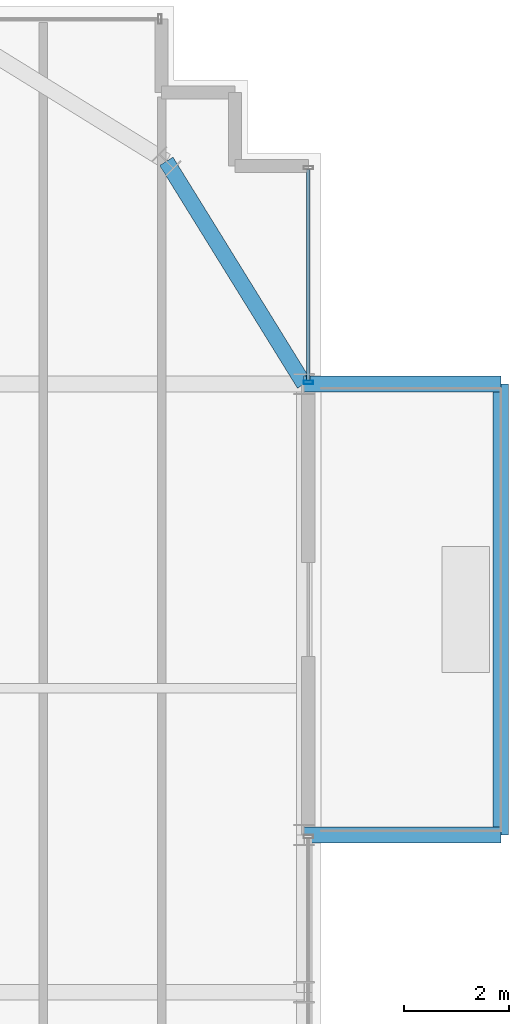
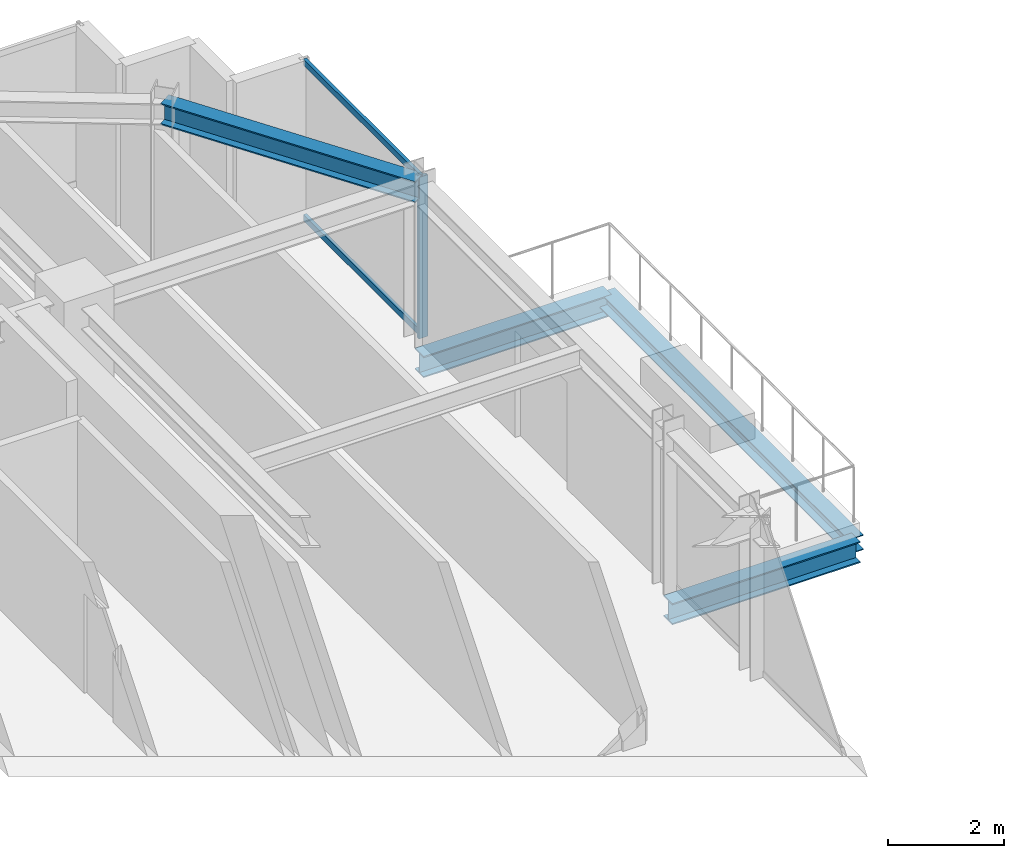
# One storey, part 25 of 34: 4 beams, 3 members, 1 element without a shape of its own.
"""IFC4 building model written with IfcOpenShell, lengths in metres."""

import ifcopenshell
import ifcopenshell.guid

model = None  # the IFC model being written
_history = None  # IfcOwnerHistory: only IFC2X3 demands one
_inside = {}  # id of a spatial element -> (the spatial element, [elements in it])
_under = {}  # id of a project, library or spatial element -> (it, [spatial elements below it])
_declared = {}  # id of a project -> (the project, [libraries it declares])
_typed = {}  # id of a type object -> (the type object, [elements of that type])
_made_of = {}  # id of a material, layer set ... -> (it, [elements and type objects made of it])


def new_model(schema):
    """Start an empty IFC model of exactly this schema.

    Asked for "IFC4X3", IfcOpenShell would pick the latest addendum, in which some entities
    have other attributes; the version numbers below select the first issue.
    IFC2X3 requires an IfcOwnerHistory on every rooted entity: one is made here for all.
    """
    global model, _history
    if schema == "IFC4X3":
        model = ifcopenshell.file(schema_version=(4, 3, 0, 0))
    else:
        model = ifcopenshell.file(schema=schema)
    _inside.clear()
    _under.clear()
    _declared.clear()
    _typed.clear()
    _made_of.clear()
    _history = None
    if model.schema == "IFC2X3":
        org = make("IfcOrganization", Name="unknown")
        user = make(
            "IfcPersonAndOrganization",
            ThePerson=make("IfcPerson", FamilyName="unknown"),
            TheOrganization=org,
        )
        app = make(
            "IfcApplication",
            ApplicationDeveloper=org,
            Version="unknown",
            ApplicationFullName="unknown",
            ApplicationIdentifier="unknown",
        )
        _history = make(
            "IfcOwnerHistory",
            OwningUser=user,
            OwningApplication=app,
            ChangeAction="ADDED",
            CreationDate=0,
        )
    return model


def make(cls, **values):
    """One entity of the class cls with the attributes given. An attribute that is None is left unset."""
    return model.create_entity(
        cls, **{name: value for name, value in values.items() if value is not None}
    )


def rooted(cls, **values):
    """An entity with a GlobalId (a new one), such as an element, a storey or a relation."""
    return make(cls, GlobalId=ifcopenshell.guid.new(), OwnerHistory=_history, **values)


def si_unit(unit_type, name, prefix=None):
    """IfcSIUnit, for example si_unit("LENGTHUNIT", "METRE", prefix="MILLI")."""
    return make("IfcSIUnit", UnitType=unit_type, Prefix=prefix, Name=name)


def assignment(units):
    """IfcUnitAssignment: the units of a project."""
    return None if units is None else make("IfcUnitAssignment", Units=units)


def point(xyz):
    """IfcCartesianPoint."""
    return None if xyz is None else make("IfcCartesianPoint", Coordinates=xyz)


def direction(xyz):
    """IfcDirection."""
    return None if xyz is None else make("IfcDirection", DirectionRatios=xyz)


def frame(location, z_axis=None, x_axis=None):
    """IfcAxis2Placement3D, a coordinate frame: its origin and axes. An axis left out is left unset."""
    return make(
        "IfcAxis2Placement3D",
        Location=point(location),
        Axis=direction(z_axis),
        RefDirection=direction(x_axis),
    )


def frame_2d(location, x_axis=None):
    """IfcAxis2Placement2D, a coordinate frame in the plane: its origin and x axis."""
    return make(
        "IfcAxis2Placement2D", Location=point(location), RefDirection=direction(x_axis)
    )


def origin():
    """The frame at (0, 0, 0) with its axes left unset."""
    return frame((0.0, 0.0, 0.0))


def origin_2d():
    """The frame at (0, 0) in the plane with its x axis left unset."""
    return frame_2d((0.0, 0.0))


def place(relative_to, where):
    """IfcLocalPlacement: puts the frame where relative to a parent placement (None: the world)."""
    return make(
        "IfcLocalPlacement", PlacementRelTo=relative_to, RelativePlacement=where
    )


def context(
    kind, dimensions, precision=None, world=None, true_north=None, identifier=None
):
    """IfcGeometricRepresentationContext, for example the 3D "Model" context."""
    return make(
        "IfcGeometricRepresentationContext",
        ContextIdentifier=identifier,
        ContextType=kind,
        CoordinateSpaceDimension=dimensions,
        Precision=precision,
        WorldCoordinateSystem=world,
        TrueNorth=true_north,
    )


def subcontext(parent, identifier, kind, view, scale=None):
    """IfcGeometricRepresentationSubContext, for example "Body" below "Model"."""
    return make(
        "IfcGeometricRepresentationSubContext",
        ContextIdentifier=identifier,
        ContextType=kind,
        ParentContext=parent,
        TargetScale=scale,
        TargetView=view,
    )


def project(units=None, contexts=None):
    """IfcProject with its units and contexts."""
    return rooted(
        "IfcProject",
        Name="project",
        RepresentationContexts=contexts,
        UnitsInContext=assignment(units),
    )


def spatial(cls, under=None, at=None, **own):
    """A site, building, storey or space (cls), placed at a placement, below another one or the project."""
    s = rooted(cls, ObjectPlacement=at, **own)
    if under is not None:
        _under.setdefault(under.id(), (under, []))[1].append(s)
    return s


def profile(cls, at=None, kind="AREA", **sizes):
    """A parametric profile (cls). Its sizes go by their IFC names, for example OverallWidth=200.0."""
    return make(cls, ProfileType=kind, Position=at, **sizes)


def hollow_rectangle(**sizes):
    """IfcRectangleHollowProfileDef."""
    return profile("IfcRectangleHollowProfileDef", **sizes)


def i_section(**sizes):
    """IfcIShapeProfileDef."""
    return profile("IfcIShapeProfileDef", **sizes)


def extrude(swept, where, along, depth):
    """IfcExtrudedAreaSolid: the profile swept, set in the frame where, extruded along a direction by depth."""
    return make(
        "IfcExtrudedAreaSolid",
        SweptArea=swept,
        Position=where,
        ExtrudedDirection=direction(along),
        Depth=depth,
    )


def shape(context_of_items, identifier, shape_type, items):
    """IfcShapeRepresentation: the items that make up one representation, for example the "Body"."""
    return make(
        "IfcShapeRepresentation",
        ContextOfItems=context_of_items,
        RepresentationIdentifier=identifier,
        RepresentationType=shape_type,
        Items=items,
    )


def source(mapping_origin, context_of_items, identifier, shape_type, items):
    """IfcRepresentationMap: a shape defined once, which mapped items show again and again."""
    return make(
        "IfcRepresentationMap",
        MappingOrigin=mapping_origin,
        MappedRepresentation=shape(context_of_items, identifier, shape_type, items),
    )


def transform(
    local_origin,
    x_axis=None,
    y_axis=None,
    z_axis=None,
    scale=None,
    scale2=None,
    scale3=None,
    uniform=True,
):
    """IfcCartesianTransformationOperator3D, or its non-uniform kind. x_axis, y_axis, z_axis: its Axis1, 2, 3."""
    if uniform:
        return make(
            "IfcCartesianTransformationOperator3D",
            Axis1=direction(x_axis),
            Axis2=direction(y_axis),
            LocalOrigin=point(local_origin),
            Scale=scale,
            Axis3=direction(z_axis),
        )
    return make(
        "IfcCartesianTransformationOperator3DnonUniform",
        Axis1=direction(x_axis),
        Axis2=direction(y_axis),
        LocalOrigin=point(local_origin),
        Scale=scale,
        Axis3=direction(z_axis),
        Scale2=scale2,
        Scale3=scale3,
    )


def mapped(mapping_source, mapping_target):
    """IfcMappedItem: shows the shape of a source again, moved by a transform."""
    return make(
        "IfcMappedItem", MappingSource=mapping_source, MappingTarget=mapping_target
    )


def material(Name=None, Category=None):
    """IfcMaterial."""
    return make("IfcMaterial", Name=Name, Category=Category)


def material_profile(
    of_material, cross_section, Name=None, Category=None, Priority=None
):
    """IfcMaterialProfile: a cross section and its material."""
    return make(
        "IfcMaterialProfile",
        Name=Name,
        Material=of_material,
        Profile=cross_section,
        Priority=Priority,
        Category=Category,
    )


def profile_set(profiles, Name=None, composite=None):
    """IfcMaterialProfileSet."""
    return make(
        "IfcMaterialProfileSet",
        Name=Name,
        MaterialProfiles=profiles,
        CompositeProfile=composite,
    )


def made_of(thing, what):
    """Note that an element or type object is made of a material, layer set ...; save() writes the relation."""
    if what is not None:
        _made_of.setdefault(what.id(), (what, []))[1].append(thing)
    return thing


def type_object(cls, material=None, **own):
    """A type object (cls), such as IfcWallType, which elements share."""
    return made_of(rooted(cls, **own), material)


def element(
    cls,
    number,
    at=None,
    inside=None,
    cuts=None,
    type_object=None,
    material=None,
    context=None,
    identifier="Body",
    shape_type=None,
    held_by="IfcProductDefinitionShape",
    body=None,
    shapes=None,
    **own,
):
    """One element of the class cls, such as IfcWall. Its Tag is "e" and its number.

    at: its placement. inside: the storey or other place that contains it. cuts: it is an
    opening in that element (IfcRelVoidsElement). A single representation is given by context,
    identifier, shape_type and body (its items); several are given by shapes. held_by: the class
    of the entity that holds the representations. save() writes the other relations.
    """
    e = rooted(cls, Tag="e%d" % number, ObjectPlacement=at, **own)
    if body is not None:
        shapes = [shape(context, identifier, shape_type, body)]
    if shapes is not None:
        e.Representation = make(held_by, Representations=shapes)
    if inside is not None:
        _inside.setdefault(inside.id(), (inside, []))[1].append(e)
    if cuts is not None:
        rooted(
            "IfcRelVoidsElement", RelatingBuildingElement=cuts, RelatedOpeningElement=e
        )
    if type_object is not None:
        _typed.setdefault(type_object.id(), (type_object, []))[1].append(e)
    return made_of(e, material)


def aggregate(whole, parts):
    """IfcRelAggregates: a whole, such as a stair, and the parts it consists of."""
    return rooted("IfcRelAggregates", RelatingObject=whole, RelatedObjects=parts)


def save(model, path):
    """Write the relations noted so far, then the file.

    IfcRelAggregates (storeys below a building ...), IfcRelContainedInSpatialStructure (elements
    in a storey), IfcRelDefinesByType, IfcRelAssociatesMaterial and IfcRelDeclares: one each for
    every whole, place, type object, material and project.
    """
    for whole, parts in _under.values():
        aggregate(whole, parts)
    for where, things in _inside.values():
        rooted(
            "IfcRelContainedInSpatialStructure",
            RelatedElements=things,
            RelatingStructure=where,
        )
    for kind, things in _typed.values():
        rooted("IfcRelDefinesByType", RelatedObjects=things, RelatingType=kind)
    for what, things in _made_of.values():
        rooted("IfcRelAssociatesMaterial", RelatedObjects=things, RelatingMaterial=what)
    for by, libraries in _declared.values():
        rooted("IfcRelDeclares", RelatingContext=by, RelatedDefinitions=libraries)
    model.write(path)


model = new_model("IFC4")

# Units and contexts
model_context = context("Model", 3, precision=1e-05, world=origin(), true_north=direction((0.0, 1.0)))
body_context = subcontext(model_context, "Body", "Model", "MODEL_VIEW")
ifc_project = project(units=[si_unit("LENGTHUNIT", "METRE"), si_unit("AREAUNIT", "SQUARE_METRE"), si_unit("VOLUMEUNIT", "CUBIC_METRE"), si_unit("PLANEANGLEUNIT", "RADIAN"), si_unit("MASSUNIT", "GRAM", prefix="KILO")], contexts=[model_context])

# Site, building, storey
site_placement = place(None, origin())
site = spatial("IfcSite", under=ifc_project, at=site_placement, CompositionType="ELEMENT")
building_placement = place(site_placement, origin())
building = spatial("IfcBuilding", under=site, at=building_placement, Name="Nahalor Promenade Grand Hotel", CompositionType="ELEMENT")
storey_placement = place(building_placement, frame((0.0, 0.0, 238.199951171875)))
storey = spatial("IfcBuildingStorey", under=building, at=storey_placement, Name="L61", CompositionType="ELEMENT", Elevation=238.199951171875)

# Beams
ifc_material_1 = material(Name="Steel S355JR", Category="steel")
ifc_material_profile_1 = material_profile(ifc_material_1, i_section(OverallWidth=0.3, OverallDepth=0.32, WebThickness=0.0115, FlangeThickness=0.0205, at=origin_2d()), Name="HEB 320")
ifc_profile_set_1 = profile_set([ifc_material_profile_1], Name="Steel S355JR")
beam_type_1 = type_object("IfcBeamType", Name="Beam-BalcEdge-HEB320", PredefinedType="SPANDREL", material=ifc_profile_set_1)
shared_shape_1 = source(origin(), body_context, "Body", "SweptSolid", [
    extrude(i_section(OverallWidth=0.3, OverallDepth=0.32, WebThickness=0.0115, FlangeThickness=0.0205, at=origin_2d()), origin(), (0.0, 0.0, 1.0), 8.60009765625),
])
beam_1_placement = place(storey_placement, frame((27.6298828125, 8.39990234375, -0.43994140625), z_axis=(0.0, 1.0, 0.0), x_axis=(-1.0, 0.0, 0.0)))
element("IfcBeam", 1, at=beam_1_placement, inside=storey, type_object=beam_type_1, Name="BM-L61-BC-02-F", PredefinedType="SPANDREL", context=body_context, shape_type="MappedRepresentation", body=[
    mapped(shared_shape_1, transform((0.0, 0.0, 0.0), scale=1.0)),
])
ifc_material_profile_2 = material_profile(ifc_material_1, i_section(OverallWidth=0.3, OverallDepth=0.45, WebThickness=0.014, FlangeThickness=0.026, at=origin_2d()), Name="HEB 450")
ifc_profile_set_2 = profile_set([ifc_material_profile_2], Name="Steel S355JR")
beam_type_2 = type_object("IfcBeamType", Name="Beam-Outrigger-HEB450", PredefinedType="BEAM", material=ifc_profile_set_2)
shared_shape_2 = source(origin(), body_context, "Body", "SweptSolid", [
    extrude(i_section(OverallWidth=0.3, OverallDepth=0.45, WebThickness=0.014, FlangeThickness=0.026, at=origin_2d()), origin(), (0.0, 0.0, 1.0), 3.75),
])
for number, where, z_axis, x_axis, name in (
    (2, (23.8798828125, 8.39990234375, -0.5048828125), (1.0, 0.0, 0.0), (0.0, 1.0, 0.0), "BM-L61-BC-02-1"),
    (3, (23.8798828125, 17.0, -0.5048828125), (1.0, 0.0, 0.0), (0.0, 1.0, 0.0), "BM-L61-BC-02-2"),
):
    element("IfcBeam", number, at=place(storey_placement, frame(where, z_axis=z_axis, x_axis=x_axis)), inside=storey, type_object=beam_type_2, Name=name, PredefinedType="BEAM", context=body_context, shape_type="MappedRepresentation", body=[
        mapped(shared_shape_2, transform((0.0, 0.0, 0.0), scale=1.0)),
    ])
ifc_material_profile_3 = material_profile(ifc_material_1, i_section(OverallWidth=0.3, OverallDepth=0.45, WebThickness=0.014, FlangeThickness=0.026, at=origin_2d()), Name="HEB 450")
ifc_profile_set_3 = profile_set([ifc_material_profile_3], Name="Steel S355JR")
beam_type_3 = type_object("IfcBeamType", Name="Beam-Spandrel-HEB450", PredefinedType="SPANDREL", material=ifc_profile_set_3)
shared_shape_3 = source(origin(), body_context, "Body", "SweptSolid", [
    extrude(i_section(OverallWidth=0.3, OverallDepth=0.45, WebThickness=0.014, FlangeThickness=0.026, at=origin_2d()), origin(), (0.0, 0.0, 1.0), 4.997802734375),
])
beam_2_placement = place(storey_placement, frame((21.25, 21.25, 3.18505859375), z_axis=(0.526199891161, -0.850360908404, 0.0), x_axis=(0.850360908404, 0.526199891161, 0.0)))
element("IfcBeam", 4, at=beam_2_placement, inside=storey, type_object=beam_type_3, Name="BM-L61-SPC-NE-2", PredefinedType="SPANDREL", context=body_context, shape_type="MappedRepresentation", body=[
    mapped(shared_shape_3, transform((0.0, 0.0, 0.0), scale=1.0)),
])

# Curtain wall, members
ifc_material_2 = material(Name="Anodised Bronze Aluminium EN AW-6063 T6", Category="aluminium")
curtain_wall_type = type_object("IfcCurtainWallType", Name="CW2 Typical Hotel Flush Bronze Unitised Curtain Wall", PredefinedType="USERDEFINED", material=ifc_material_2)
curtain_wall_placement = place(storey_placement, origin())
curtain_wall = element("IfcCurtainWall", 5, at=curtain_wall_placement, inside=storey, type_object=curtain_wall_type, Name="L61 Curtain Wall CW-L61-E-3", ObjectType="UNITISED_CURTAIN_WALL", PredefinedType="USERDEFINED")
ifc_material_profile_4 = material_profile(ifc_material_2, hollow_rectangle(XDim=0.065, YDim=0.18, WallThickness=0.004, at=origin_2d()), Name="CWM 65x180x4")
ifc_profile_set_4 = profile_set([ifc_material_profile_4], Name="Anodised Bronze Aluminium EN AW-6063 T6")
member_type_1 = type_object("IfcMemberType", Name="CWM2 Typical Bronze Mullion 65x180", PredefinedType="MULLION", material=ifc_profile_set_4)
shared_shape_4 = source(origin(), body_context, "Body", "SweptSolid", [
    extrude(hollow_rectangle(XDim=0.065, YDim=0.18, WallThickness=0.004, at=origin_2d()), origin(), (0.0, 0.0, 1.0), 3.41015625),
])
member_1_placement = place(storey_placement, frame((23.9599609375, 17.032470703125, 0.0), z_axis=(0.0, 0.0, 1.0), x_axis=(0.0, 1.0, 0.0)))
member_1 = element("IfcMember", 6, at=member_1_placement, type_object=member_type_1, Name="CW-L61-E-3 Mullion 0", PredefinedType="MULLION", context=body_context, shape_type="MappedRepresentation", body=[
    mapped(shared_shape_4, transform((0.0, 0.0, 0.0), scale=1.0)),
])
ifc_material_profile_5 = material_profile(ifc_material_2, hollow_rectangle(XDim=0.065, YDim=0.13, WallThickness=0.004, at=origin_2d()), Name="CWT 65x130x4")
ifc_profile_set_5 = profile_set([ifc_material_profile_5], Name="Anodised Bronze Aluminium EN AW-6063 T6")
member_type_2 = type_object("IfcMemberType", Name="CWT2 Typical Bronze Transom 65x130", PredefinedType="USERDEFINED", material=ifc_profile_set_5)
shared_shape_5 = source(origin(), body_context, "Body", "SweptSolid", [
    extrude(hollow_rectangle(XDim=0.065, YDim=0.13, WallThickness=0.004, at=origin_2d()), origin(), (0.0, 0.0, 1.0), 4.030029296875),
])
member_2_placement = place(storey_placement, frame((23.9599609375, 17.06494140625, 0.06494140625), z_axis=(0.0, 1.0, 0.0), x_axis=(-1.0, 0.0, 0.0)))
member_2 = element("IfcMember", 7, at=member_2_placement, type_object=member_type_2, Name="CW-L61-E-3 Transom 0-0", ObjectType="TRANSOM", PredefinedType="USERDEFINED", context=body_context, shape_type="MappedRepresentation", body=[
    mapped(shared_shape_5, transform((0.0, 0.0, 0.0), scale=1.0)),
])
member_3_placement = place(storey_placement, frame((23.9599609375, 17.06494140625, 3.344970703125), z_axis=(0.0, 1.0, 0.0), x_axis=(-1.0, 0.0, 0.0)))
member_3 = element("IfcMember", 8, at=member_3_placement, type_object=member_type_2, Name="CW-L61-E-3 Transom 0-1", ObjectType="TRANSOM", PredefinedType="USERDEFINED", context=body_context, shape_type="MappedRepresentation", body=[
    mapped(shared_shape_5, transform((0.0, 0.0, 0.0), scale=1.0)),
])
aggregate(curtain_wall, [member_1, member_2, member_3])

save(model, "model.ifc")
